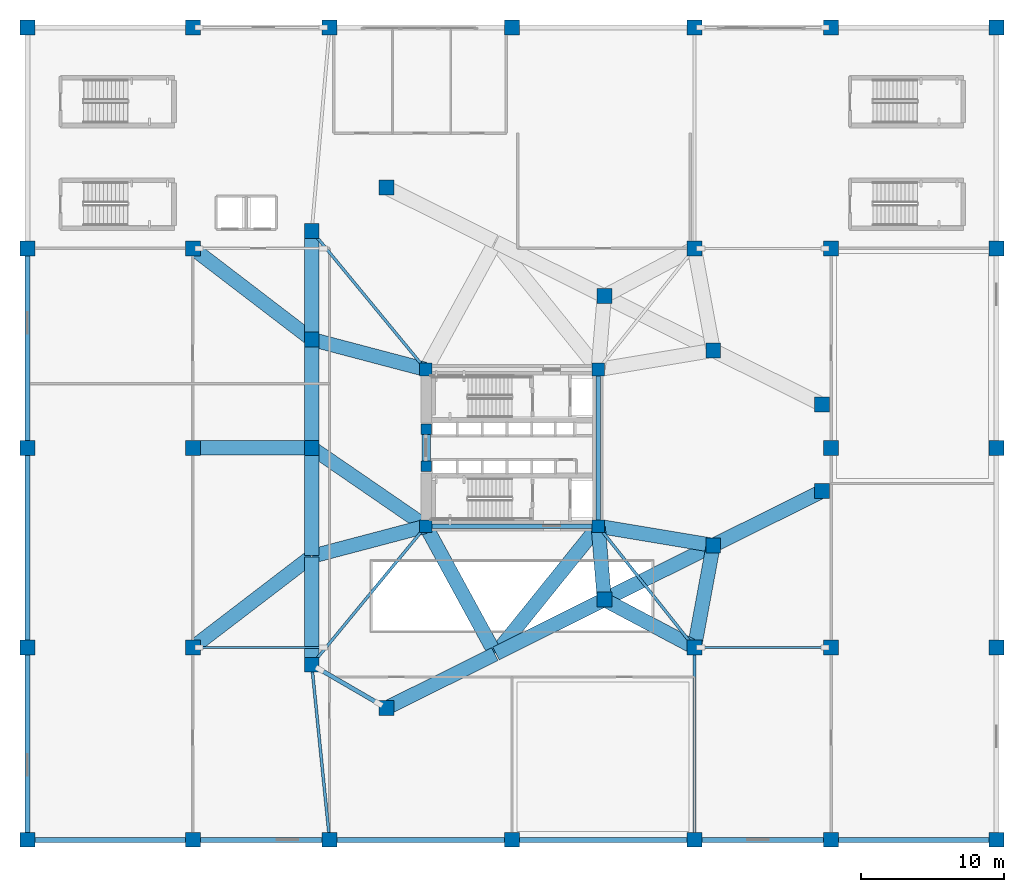
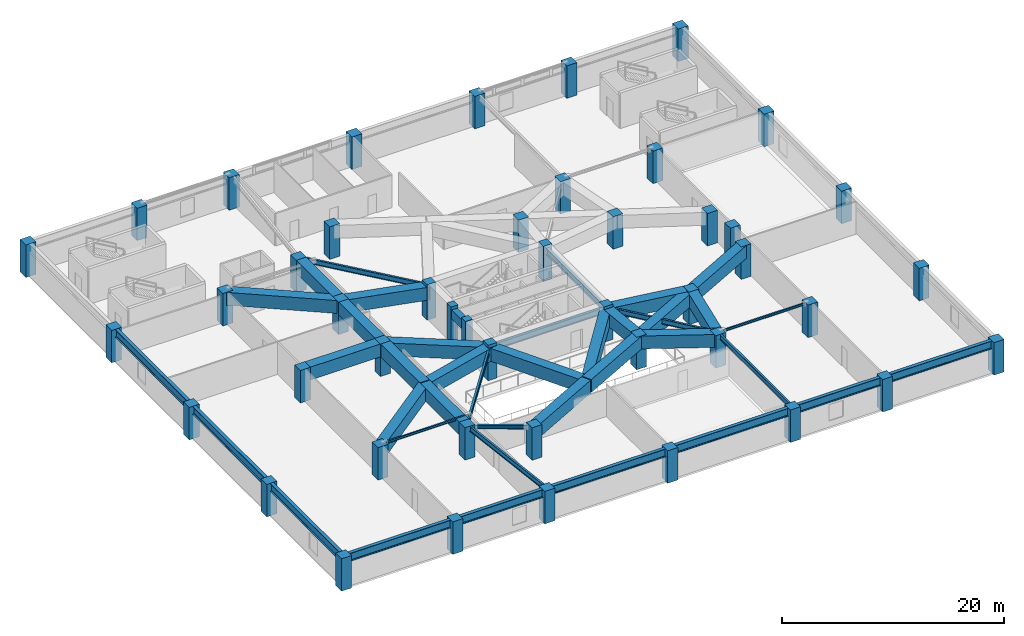
# One storey, part 1 of 16: 46 columns, 37 beams, 3 members.
"""IFC4 building model written with IfcOpenShell, lengths in metres."""

from ifc_helpers import new_model, si_unit, direction, frame, origin, origin_2d, place, context, subcontext, project, spatial, rectangle, hollow_rectangle, i_section, extrude, source, transform, mapped, material, material_profile, profile_set, type_object, element, save


model = new_model("IFC4")

# Units and contexts
model_context = context("Model", 3, precision=1e-05, world=origin(), true_north=direction((0.0, 1.0)))
body_context = subcontext(model_context, "Body", "Model", "MODEL_VIEW")
ifc_project = project(units=[si_unit("LENGTHUNIT", "METRE"), si_unit("AREAUNIT", "SQUARE_METRE"), si_unit("VOLUMEUNIT", "CUBIC_METRE"), si_unit("PLANEANGLEUNIT", "RADIAN"), si_unit("MASSUNIT", "GRAM", prefix="KILO")], contexts=[model_context])

# Site, building, storey
site_placement = place(None, origin())
site = spatial("IfcSite", under=ifc_project, at=site_placement, CompositionType="ELEMENT")
building_placement = place(site_placement, origin())
building = spatial("IfcBuilding", under=site, at=building_placement, Name="Yunling Apex Tower", CompositionType="ELEMENT")
storey_placement = place(building_placement, frame((0.0, 0.0, 16.199951171875)))
storey = spatial("IfcBuildingStorey", under=building, at=storey_placement, Name="L05", CompositionType="ELEMENT", Elevation=16.199951171875)

# Columns
ifc_material_1 = material(Name="Concrete C60", Category="concrete")
ifc_material_profile_1 = material_profile(ifc_material_1, rectangle(XDim=0.89990234375, YDim=0.89990234375, at=origin_2d()))
ifc_profile_set_1 = profile_set([ifc_material_profile_1], Name="Concrete C60")
column_type_1 = type_object("IfcColumnType", Name="PC-SRC-3", PredefinedType="COLUMN", material=ifc_profile_set_1)
shared_shape_1 = source(origin(), body_context, "Body", "SweptSolid", [
    extrude(rectangle(XDim=0.89990234375, YDim=0.89990234375, at=origin_2d()), origin(), (0.0, 0.0, 1.0), 3.900146484375),
])
for number, where, z_axis, x_axis, name in (
    (1, (-6.050048828125, -5.5, 0.0), (0.0, 0.0, 1.0), (1.0, 0.0, 0.0), "L05 Core Spine Column CC-SW"),
    (2, (6.050048828125, -5.5, 0.0), (0.0, 0.0, 1.0), (1.0, 0.0, 0.0), "L05 Core Spine Column CC-SE"),
    (3, (6.050048828125, 5.5, 0.0), (0.0, 0.0, 1.0), (1.0, 0.0, 0.0), "L05 Core Spine Column CC-NE"),
    (4, (-6.050048828125, 5.5, 0.0), (0.0, 0.0, 1.0), (1.0, 0.0, 0.0), "L05 Core Spine Column CC-NW"),
):
    element("IfcColumn", number, at=place(storey_placement, frame(where, z_axis=z_axis, x_axis=x_axis)), inside=storey, type_object=column_type_1, Name=name, PredefinedType="COLUMN", context=body_context, shape_type="MappedRepresentation", body=[
        mapped(shared_shape_1, transform((0.0, 0.0, 0.0), scale=1.0)),
    ])
ifc_material_2 = material(Name="Concrete C50", Category="concrete")
ifc_material_profile_2 = material_profile(ifc_material_2, rectangle(XDim=0.75, YDim=0.75, at=origin_2d()))
ifc_profile_set_2 = profile_set([ifc_material_profile_2], Name="Concrete C50")
column_type_2 = type_object("IfcColumnType", Name="PC-SRC-4", PredefinedType="COLUMN", material=ifc_profile_set_2)
shared_shape_2 = source(origin(), body_context, "Body", "SweptSolid", [
    extrude(rectangle(XDim=0.75, YDim=0.75, at=origin_2d()), origin(), (0.0, 0.0, 1.0), 3.900146484375),
])
for number, where, z_axis, x_axis, name in (
    (5, (-6.02490234375, -1.300048828125, 0.0), (0.0, 0.0, 1.0), (1.0, 0.0, 0.0), "L05 Core West Portal Jamb Column S"),
    (6, (-6.02490234375, 1.300048828125, 0.0), (0.0, 0.0, 1.0), (1.0, 0.0, 0.0), "L05 Core West Portal Jamb Column N"),
):
    element("IfcColumn", number, at=place(storey_placement, frame(where, z_axis=z_axis, x_axis=x_axis)), inside=storey, type_object=column_type_2, Name=name, PredefinedType="COLUMN", context=body_context, shape_type="MappedRepresentation", body=[
        mapped(shared_shape_2, transform((0.0, 0.0, 0.0), scale=1.0)),
    ])
ifc_material_profile_3 = material_profile(ifc_material_1, rectangle(XDim=1.050048828125, YDim=1.050048828125, at=origin_2d()))
ifc_profile_set_3 = profile_set([ifc_material_profile_3], Name="Concrete C60")
column_type_3 = type_object("IfcColumnType", Name="PC-SRC-2", PredefinedType="COLUMN", material=ifc_profile_set_3)
shared_shape_3 = source(origin(), body_context, "Body", "SweptSolid", [
    extrude(rectangle(XDim=1.050048828125, YDim=1.050048828125, at=origin_2d()), origin(), (0.0, 0.0, 1.0), 3.580078125),
])
for number, where, z_axis, x_axis, name in (
    (7, (-34.0, -27.5, 0.0), (0.0, 0.0, 1.0), (1.0, 0.0, 0.0), "L05 Podium Mega-Column PC-01"),
    (8, (-22.39990234375, -27.5, 0.0), (0.0, 0.0, 1.0), (1.0, 0.0, 0.0), "L05 Podium Mega-Column PC-02"),
    (9, (-12.800048828125, -27.5, 0.0), (0.0, 0.0, 1.0), (1.0, 0.0, 0.0), "L05 Podium Mega-Column PC-03"),
    (10, (0.0, -27.5, 0.0), (0.0, 0.0, 1.0), (1.0, 0.0, 0.0), "L05 Podium Mega-Column PC-04"),
    (11, (12.800048828125, -27.5, 0.0), (0.0, 0.0, 1.0), (1.0, 0.0, 0.0), "L05 Podium Mega-Column PC-05"),
    (12, (22.39990234375, -27.5, 0.0), (0.0, 0.0, 1.0), (1.0, 0.0, 0.0), "L05 Podium Mega-Column PC-06"),
    (13, (34.0, -27.5, 0.0), (0.0, 0.0, 1.0), (1.0, 0.0, 0.0), "L05 Podium Mega-Column PC-07"),
    (14, (-34.0, -14.0, 0.0), (0.0, 0.0, 1.0), (1.0, 0.0, 0.0), "L05 Podium Mega-Column PC-08"),
    (15, (-22.39990234375, -14.0, 0.0), (0.0, 0.0, 1.0), (1.0, 0.0, 0.0), "L05 Podium Mega-Column PC-09"),
    (16, (12.800048828125, -14.0, 0.0), (0.0, 0.0, 1.0), (1.0, 0.0, 0.0), "L05 Podium Mega-Column PC-11"),
    (17, (22.39990234375, -14.0, 0.0), (0.0, 0.0, 1.0), (1.0, 0.0, 0.0), "L05 Podium Mega-Column PC-12"),
    (18, (34.0, -14.0, 0.0), (0.0, 0.0, 1.0), (1.0, 0.0, 0.0), "L05 Podium Mega-Column PC-13"),
    (19, (-34.0, 0.0, 0.0), (0.0, 0.0, 1.0), (1.0, 0.0, 0.0), "L05 Podium Mega-Column PC-14"),
    (20, (-22.39990234375, 0.0, 0.0), (0.0, 0.0, 1.0), (1.0, 0.0, 0.0), "L05 Podium Mega-Column PC-15"),
    (21, (22.39990234375, 0.0, 0.0), (0.0, 0.0, 1.0), (1.0, 0.0, 0.0), "L05 Podium Mega-Column PC-16"),
    (22, (34.0, 0.0, 0.0), (0.0, 0.0, 1.0), (1.0, 0.0, 0.0), "L05 Podium Mega-Column PC-17"),
    (23, (-34.0, 14.0, 0.0), (0.0, 0.0, 1.0), (1.0, 0.0, 0.0), "L05 Podium Mega-Column PC-18"),
    (24, (-22.39990234375, 14.0, 0.0), (0.0, 0.0, 1.0), (1.0, 0.0, 0.0), "L05 Podium Mega-Column PC-19"),
    (25, (12.800048828125, 14.0, 0.0), (0.0, 0.0, 1.0), (1.0, 0.0, 0.0), "L05 Podium Mega-Column PC-21"),
    (26, (22.39990234375, 14.0, 0.0), (0.0, 0.0, 1.0), (1.0, 0.0, 0.0), "L05 Podium Mega-Column PC-22"),
    (27, (34.0, 14.0, 0.0), (0.0, 0.0, 1.0), (1.0, 0.0, 0.0), "L05 Podium Mega-Column PC-23"),
    (28, (-34.0, 29.5, 0.0), (0.0, 0.0, 1.0), (1.0, 0.0, 0.0), "L05 Podium Mega-Column PC-24"),
    (29, (-22.39990234375, 29.5, 0.0), (0.0, 0.0, 1.0), (1.0, 0.0, 0.0), "L05 Podium Mega-Column PC-25"),
    (30, (-12.800048828125, 29.5, 0.0), (0.0, 0.0, 1.0), (1.0, 0.0, 0.0), "L05 Podium Mega-Column PC-26"),
    (31, (0.0, 29.5, 0.0), (0.0, 0.0, 1.0), (1.0, 0.0, 0.0), "L05 Podium Mega-Column PC-27"),
    (32, (12.800048828125, 29.5, 0.0), (0.0, 0.0, 1.0), (1.0, 0.0, 0.0), "L05 Podium Mega-Column PC-28"),
    (33, (22.39990234375, 29.5, 0.0), (0.0, 0.0, 1.0), (1.0, 0.0, 0.0), "L05 Podium Mega-Column PC-29"),
    (34, (34.0, 29.5, 0.0), (0.0, 0.0, 1.0), (1.0, 0.0, 0.0), "L05 Podium Mega-Column PC-30"),
    (35, (-8.8115234375, -18.2578125, 0.0), (0.0, 0.0, 1.0), (1.0, 0.0, 0.0), "L05 Podium Mega-Column MP-B1-01"),
    (36, (6.477294921875, -10.648193359375, 0.0), (0.0, 0.0, 1.0), (1.0, 0.0, 0.0), "L05 Podium Mega-Column MP-B1-02"),
    (37, (14.121826171875, -6.843505859375, 0.0), (0.0, 0.0, 1.0), (1.0, 0.0, 0.0), "L05 Podium Mega-Column MP-B1-03"),
    (38, (21.76611328125, -3.038818359375, 0.0), (0.0, 0.0, 1.0), (1.0, 0.0, 0.0), "L05 Podium Mega-Column MP-B1-04"),
    (39, (21.76611328125, 3.038818359375, 0.0), (0.0, 0.0, 1.0), (1.0, 0.0, 0.0), "L05 Podium Mega-Column MP-B1-05"),
    (40, (14.121826171875, 6.843505859375, 0.0), (0.0, 0.0, 1.0), (1.0, 0.0, 0.0), "L05 Podium Mega-Column MP-B1-06"),
    (41, (6.477294921875, 10.648193359375, 0.0), (0.0, 0.0, 1.0), (1.0, 0.0, 0.0), "L05 Podium Mega-Column MP-B1-07"),
    (42, (-8.8115234375, 18.2578125, 0.0), (0.0, 0.0, 1.0), (1.0, 0.0, 0.0), "L05 Podium Mega-Column MP-B1-08"),
    (43, (-14.052001953125, 15.218994140625, 0.0), (0.0, 0.0, 1.0), (1.0, 0.0, 0.0), "L05 Podium Mega-Column MP-B1-09"),
    (44, (-14.052001953125, 7.609619140625, 0.0), (0.0, 0.0, 1.0), (1.0, 0.0, 0.0), "L05 Podium Mega-Column MP-B1-10"),
    (45, (-14.052001953125, 0.0, 0.0), (0.0, 0.0, 1.0), (1.0, 0.0, 0.0), "L05 Podium Mega-Column MP-B1-11"),
    (46, (-14.052001953125, -15.218994140625, 0.0), (0.0, 0.0, 1.0), (1.0, 0.0, 0.0), "L05 Podium Mega-Column MP-B1-12"),
):
    element("IfcColumn", number, at=place(storey_placement, frame(where, z_axis=z_axis, x_axis=x_axis)), inside=storey, type_object=column_type_3, Name=name, PredefinedType="COLUMN", context=body_context, shape_type="MappedRepresentation", body=[
        mapped(shared_shape_3, transform((0.0, 0.0, 0.0), scale=1.0)),
    ])

# Beams
ifc_material_profile_4 = material_profile(ifc_material_1, rectangle(XDim=0.60009765625, YDim=1.0, at=origin_2d()))
ifc_profile_set_4 = profile_set([ifc_material_profile_4], Name="Concrete C60")
beam_type_1 = type_object("IfcBeamType", Name="BC-CPL-1", PredefinedType="BEAM", material=ifc_profile_set_4)
shared_shape_4 = source(origin(), body_context, "Body", "SweptSolid", [
    extrude(rectangle(XDim=0.60009765625, YDim=1.0, at=origin_2d()), origin(), (0.0, 0.0, 1.0), 2.5),
])
beam_1_placement = place(storey_placement, frame((-6.02490234375, -1.25, 3.080078125), z_axis=(0.0, 1.0, 0.0), x_axis=(-1.0, 0.0, 0.0)))
element("IfcBeam", 47, at=beam_1_placement, inside=storey, type_object=beam_type_1, Name="L05 Core West Portal Coupling Beam", PredefinedType="BEAM", context=body_context, shape_type="MappedRepresentation", body=[
    mapped(shared_shape_4, transform((0.0, 0.0, 0.0), scale=1.0)),
])
ifc_material_3 = material(Name="Steel Q355B", Category="steel")
ifc_material_profile_5 = material_profile(ifc_material_3, i_section(OverallWidth=0.300048828125, OverallDepth=0.699951171875, WebThickness=0.012939453125, FlangeThickness=0.02392578125, FilletRadius=0.02587890625, at=origin_2d()))
ifc_profile_set_5 = profile_set([ifc_material_profile_5], Name="Steel Q355B")
beam_type_2 = type_object("IfcBeamType", Name="BG-PRI-3", PredefinedType="USERDEFINED", material=ifc_profile_set_5)
shared_shape_5 = source(origin(), body_context, "Body", "SweptSolid", [
    extrude(i_section(OverallWidth=0.300048828125, OverallDepth=0.699951171875, WebThickness=0.012939453125, FlangeThickness=0.02392578125, FilletRadius=0.02587890625, at=origin_2d()), origin(), (0.0, 0.0, 1.0), 11.7998046875),
])
beam_2_placement = place(storey_placement, frame((-5.89990234375, -5.5, 3.22998046875), z_axis=(1.0, 0.0, 0.0), x_axis=(0.0, 1.0, 0.0)))
element("IfcBeam", 48, at=beam_2_placement, inside=storey, type_object=beam_type_2, Name="L05 Core Ring Tie Beam 1", ObjectType="GIRDER", PredefinedType="USERDEFINED", context=body_context, shape_type="MappedRepresentation", body=[
    mapped(shared_shape_5, transform((0.0, 0.0, 0.0), scale=1.0)),
])
shared_shape_6 = source(origin(), body_context, "Body", "SweptSolid", [
    extrude(i_section(OverallWidth=0.300048828125, OverallDepth=0.699951171875, WebThickness=0.012939453125, FlangeThickness=0.02392578125, FilletRadius=0.02587890625, at=origin_2d()), origin(), (0.0, 0.0, 1.0), 10.7001953125),
])
beam_3_placement = place(storey_placement, frame((6.050048828125, -5.35009765625, 3.22998046875), z_axis=(0.0, 1.0, 0.0), x_axis=(-1.0, 0.0, 0.0)))
element("IfcBeam", 49, at=beam_3_placement, inside=storey, type_object=beam_type_2, Name="L05 Core Ring Tie Beam 2", ObjectType="GIRDER", PredefinedType="USERDEFINED", context=body_context, shape_type="MappedRepresentation", body=[
    mapped(shared_shape_6, transform((0.0, 0.0, 0.0), scale=1.0)),
])
ifc_material_profile_6 = material_profile(ifc_material_3, i_section(OverallWidth=0.35009765625, OverallDepth=0.89990234375, WebThickness=0.01806640625, FlangeThickness=0.028076171875, FilletRadius=0.02392578125, at=origin_2d()))
ifc_profile_set_6 = profile_set([ifc_material_profile_6], Name="Steel Q355B")
beam_type_3 = type_object("IfcBeamType", Name="BG-PRI-1", PredefinedType="USERDEFINED", material=ifc_profile_set_6)
shared_shape_7 = source(origin(), body_context, "Body", "SweptSolid", [
    extrude(i_section(OverallWidth=0.35009765625, OverallDepth=0.89990234375, WebThickness=0.01806640625, FlangeThickness=0.028076171875, FilletRadius=0.02392578125, at=origin_2d()), origin(), (0.0, 0.0, 1.0), 11.52001953125),
])
for number, where, z_axis, x_axis, name in (
    (50, (-33.9599609375, -27.5, 3.130126953125), (1.0, 0.0, 0.0), (0.0, 1.0, 0.0), "L05 Podium Edge Girder 1"),
    (51, (22.43994140625, -27.5, 3.130126953125), (1.0, 0.0, 0.0), (0.0, 1.0, 0.0), "L05 Podium Edge Girder 6"),
):
    element("IfcBeam", number, at=place(storey_placement, frame(where, z_axis=z_axis, x_axis=x_axis)), inside=storey, type_object=beam_type_3, Name=name, ObjectType="GIRDER", PredefinedType="USERDEFINED", context=body_context, shape_type="MappedRepresentation", body=[
        mapped(shared_shape_7, transform((0.0, 0.0, 0.0), scale=1.0)),
    ])
shared_shape_8 = source(origin(), body_context, "Body", "SweptSolid", [
    extrude(i_section(OverallWidth=0.35009765625, OverallDepth=0.89990234375, WebThickness=0.01806640625, FlangeThickness=0.028076171875, FilletRadius=0.02392578125, at=origin_2d()), origin(), (0.0, 0.0, 1.0), 9.52001953125),
])
for number, where, z_axis, x_axis, name in (
    (52, (-22.360107421875, -27.5, 3.130126953125), (1.0, 0.0, 0.0), (0.0, 1.0, 0.0), "L05 Podium Edge Girder 2"),
    (53, (12.840087890625, -27.5, 3.130126953125), (1.0, 0.0, 0.0), (0.0, 1.0, 0.0), "L05 Podium Edge Girder 5"),
):
    element("IfcBeam", number, at=place(storey_placement, frame(where, z_axis=z_axis, x_axis=x_axis)), inside=storey, type_object=beam_type_3, Name=name, ObjectType="GIRDER", PredefinedType="USERDEFINED", context=body_context, shape_type="MappedRepresentation", body=[
        mapped(shared_shape_8, transform((0.0, 0.0, 0.0), scale=1.0)),
    ])
shared_shape_9 = source(origin(), body_context, "Body", "SweptSolid", [
    extrude(i_section(OverallWidth=0.35009765625, OverallDepth=0.89990234375, WebThickness=0.01806640625, FlangeThickness=0.028076171875, FilletRadius=0.02392578125, at=origin_2d()), origin(), (0.0, 0.0, 1.0), 12.719970703125),
])
for number, where, z_axis, x_axis, name in (
    (54, (-12.760009765625, -27.5, 3.130126953125), (1.0, 0.0, 0.0), (0.0, 1.0, 0.0), "L05 Podium Edge Girder 3"),
    (55, (0.0400390625, -27.5, 3.130126953125), (1.0, 0.0, 0.0), (0.0, 1.0, 0.0), "L05 Podium Edge Girder 4"),
):
    element("IfcBeam", number, at=place(storey_placement, frame(where, z_axis=z_axis, x_axis=x_axis)), inside=storey, type_object=beam_type_3, Name=name, ObjectType="GIRDER", PredefinedType="USERDEFINED", context=body_context, shape_type="MappedRepresentation", body=[
        mapped(shared_shape_9, transform((0.0, 0.0, 0.0), scale=1.0)),
    ])
shared_shape_10 = source(origin(), body_context, "Body", "SweptSolid", [
    extrude(i_section(OverallWidth=0.35009765625, OverallDepth=0.89990234375, WebThickness=0.01806640625, FlangeThickness=0.028076171875, FilletRadius=0.02392578125, at=origin_2d()), origin(), (0.0, 0.0, 1.0), 13.419921875),
])
beam_4_placement = place(storey_placement, frame((-34.0, -27.4599609375, 3.130126953125), z_axis=(0.0, 1.0, 0.0), x_axis=(-1.0, 0.0, 0.0)))
element("IfcBeam", 56, at=beam_4_placement, inside=storey, type_object=beam_type_3, Name="L05 Podium Side Girder 13", ObjectType="GIRDER", PredefinedType="USERDEFINED", context=body_context, shape_type="MappedRepresentation", body=[
    mapped(shared_shape_10, transform((0.0, 0.0, 0.0), scale=1.0)),
])
shared_shape_11 = source(origin(), body_context, "Body", "SweptSolid", [
    extrude(i_section(OverallWidth=0.35009765625, OverallDepth=0.89990234375, WebThickness=0.01806640625, FlangeThickness=0.028076171875, FilletRadius=0.02392578125, at=origin_2d()), origin(), (0.0, 0.0, 1.0), 13.919921875),
])
for number, where, z_axis, x_axis, name in (
    (57, (-34.0, -13.9599609375, 3.130126953125), (0.0, 1.0, 0.0), (-1.0, 0.0, 0.0), "L05 Podium Side Girder 14"),
    (58, (-34.0, 0.0400390625, 3.130126953125), (0.0, 1.0, 0.0), (-1.0, 0.0, 0.0), "L05 Podium Side Girder 15"),
):
    element("IfcBeam", number, at=place(storey_placement, frame(where, z_axis=z_axis, x_axis=x_axis)), inside=storey, type_object=beam_type_3, Name=name, ObjectType="GIRDER", PredefinedType="USERDEFINED", context=body_context, shape_type="MappedRepresentation", body=[
        mapped(shared_shape_11, transform((0.0, 0.0, 0.0), scale=1.0)),
    ])
ifc_material_profile_7 = material_profile(ifc_material_3, i_section(OverallWidth=0.199951171875, OverallDepth=0.550048828125, WebThickness=0.010009765625, FlangeThickness=0.01611328125, FilletRadius=0.02001953125, at=origin_2d()))
ifc_profile_set_7 = profile_set([ifc_material_profile_7], Name="Steel Q355B")
beam_type_4 = type_object("IfcBeamType", Name="BS-SEC-1", PredefinedType="BEAM", material=ifc_profile_set_7)
shared_shape_12 = source(origin(), body_context, "Body", "SweptSolid", [
    extrude(i_section(OverallWidth=0.199951171875, OverallDepth=0.550048828125, WebThickness=0.010009765625, FlangeThickness=0.01611328125, FilletRadius=0.02001953125, at=origin_2d()), origin(), (0.0, 0.0, 1.0), 12.509033203125),
])
for number, where, z_axis, x_axis, name in (
    (59, (-14.026611328125, 15.18798828125, 3.304931640625), (0.635629262148, -0.771994456652, 0.0), (0.771994456652, 0.635629262148, 0.0), "L05 Podium Secondary Beam 2"),
    (60, (-14.026611328125, -15.18798828125, 3.304931640625), (0.635629262148, 0.771994456652, 0.0), (-0.771994456652, 0.635629262148, 0.0), "L05 Podium Secondary Beam 6"),
):
    element("IfcBeam", number, at=place(storey_placement, frame(where, z_axis=z_axis, x_axis=x_axis)), inside=storey, type_object=beam_type_4, Name=name, PredefinedType="BEAM", context=body_context, shape_type="MappedRepresentation", body=[
        mapped(shared_shape_12, transform((0.0, 0.0, 0.0), scale=1.0)),
    ])
shared_shape_13 = source(origin(), body_context, "Body", "SweptSolid", [
    extrude(i_section(OverallWidth=0.199951171875, OverallDepth=0.550048828125, WebThickness=0.010009765625, FlangeThickness=0.01611328125, FilletRadius=0.02001953125, at=origin_2d()), origin(), (0.0, 0.0, 1.0), 10.774169921875),
])
beam_5_placement = place(storey_placement, frame((12.775146484375, -13.96875, 3.304931640625), z_axis=(-0.621872334374, 0.783118637078, 0.0), x_axis=(-0.783118637078, -0.621872334374, 0.0)))
element("IfcBeam", 61, at=beam_5_placement, inside=storey, type_object=beam_type_4, Name="L05 Podium Secondary Beam 8", PredefinedType="BEAM", context=body_context, shape_type="MappedRepresentation", body=[
    mapped(shared_shape_13, transform((0.0, 0.0, 0.0), scale=1.0)),
])
shared_shape_14 = source(origin(), body_context, "Body", "SweptSolid", [
    extrude(i_section(OverallWidth=0.199951171875, OverallDepth=0.550048828125, WebThickness=0.010009765625, FlangeThickness=0.01611328125, FilletRadius=0.02001953125, at=origin_2d()), origin(), (0.0, 0.0, 1.0), 13.419921875),
])
beam_6_placement = place(storey_placement, frame((12.800048828125, -27.4599609375, 3.304931640625), z_axis=(0.0, 1.0, 0.0), x_axis=(-1.0, 0.0, 0.0)))
element("IfcBeam", 62, at=beam_6_placement, inside=storey, type_object=beam_type_4, Name="L05 Podium Secondary Beam 7", PredefinedType="BEAM", context=body_context, shape_type="MappedRepresentation", body=[
    mapped(shared_shape_14, transform((0.0, 0.0, 0.0), scale=1.0)),
])
shared_shape_15 = source(origin(), body_context, "Body", "SweptSolid", [
    extrude(i_section(OverallWidth=0.199951171875, OverallDepth=0.550048828125, WebThickness=0.010009765625, FlangeThickness=0.01611328125, FilletRadius=0.02001953125, at=origin_2d()), origin(), (0.0, 0.0, 1.0), 12.2646484375),
])
beam_7_placement = place(storey_placement, frame((-12.80419921875, -27.460205078125, 3.304931640625), z_axis=(-0.101401512652, 0.994845582607, 0.0), x_axis=(-0.994845582607, -0.101401512652, 0.0)))
element("IfcBeam", 63, at=beam_7_placement, inside=storey, type_object=beam_type_4, Name="L05 Podium Secondary Beam 5", PredefinedType="BEAM", context=body_context, shape_type="MappedRepresentation", body=[
    mapped(shared_shape_15, transform((0.0, 0.0, 0.0), scale=1.0)),
])
ifc_material_4 = material(Name="Steel Q390GJC", Category="steel")
ifc_material_profile_8 = material_profile(ifc_material_4, hollow_rectangle(XDim=1.0, YDim=1.419921875, WallThickness=0.054931640625, at=origin_2d()))
ifc_profile_set_8 = profile_set([ifc_material_profile_8], Name="Steel Q390GJC")
beam_type_5 = type_object("IfcBeamType", Name="BTPOD-1", PredefinedType="USERDEFINED", material=ifc_profile_set_8)
shared_shape_16 = source(origin(), body_context, "Body", "SweptSolid", [
    extrude(hollow_rectangle(XDim=1.0, YDim=1.419921875, WallThickness=0.054931640625, at=origin_2d()), origin(), (0.0, 0.0, 1.0), 8.438720703125),
])
for number, where, z_axis, x_axis, name in (
    (64, (-8.7666015625, -18.235595703125, 2.8701171875), (0.895235787091, 0.44559273503, 0.0), (-0.44559273503, 0.895235787091, 0.0), "L05 Podium-to-Tower Box Transfer Girder 1"),
    (65, (6.522216796875, -10.6259765625, 2.8701171875), (0.895247327755, 0.445569548047, 0.0), (-0.445569548047, 0.895247327755, 0.0), "L05 Podium-to-Tower Box Transfer Girder 3"),
):
    element("IfcBeam", number, at=place(storey_placement, frame(where, z_axis=z_axis, x_axis=x_axis)), inside=storey, type_object=beam_type_5, Name=name, ObjectType="GIRDER", PredefinedType="USERDEFINED", context=body_context, shape_type="MappedRepresentation", body=[
        mapped(shared_shape_16, transform((0.0, 0.0, 0.0), scale=1.0)),
    ])
shared_shape_17 = source(origin(), body_context, "Body", "SweptSolid", [
    extrude(hollow_rectangle(XDim=1.0, YDim=1.419921875, WallThickness=0.054931640625, at=origin_2d()), origin(), (0.0, 0.0, 1.0), 8.43896484375),
])
for number, where, z_axis, x_axis, name in (
    (66, (-1.122314453125, -14.430908203125, 2.8701171875), (0.895241531169, 0.445581194476, 0.0), (-0.445581194476, 0.895241531169, 0.0), "L05 Podium-to-Tower Box Transfer Girder 2"),
    (67, (14.16650390625, -6.8212890625, 2.8701171875), (0.895241531169, 0.445581194476, 0.0), (-0.445581194476, 0.895241531169, 0.0), "L05 Podium-to-Tower Box Transfer Girder 4"),
):
    element("IfcBeam", number, at=place(storey_placement, frame(where, z_axis=z_axis, x_axis=x_axis)), inside=storey, type_object=beam_type_5, Name=name, ObjectType="GIRDER", PredefinedType="USERDEFINED", context=body_context, shape_type="MappedRepresentation", body=[
        mapped(shared_shape_17, transform((0.0, 0.0, 0.0), scale=1.0)),
    ])
shared_shape_18 = source(origin(), body_context, "Body", "SweptSolid", [
    extrude(hollow_rectangle(XDim=1.0, YDim=1.419921875, WallThickness=0.054931640625, at=origin_2d()), origin(), (0.0, 0.0, 1.0), 7.509521484375),
])
for number, where, z_axis, x_axis, name in (
    (68, (-14.052001953125, 15.1689453125, 2.8701171875), (0.0, -1.0, 0.0), (1.0, 0.0, 0.0), "L05 Podium-to-Tower Box Transfer Girder 11"),
    (69, (-14.052001953125, 7.5595703125, 2.8701171875), (0.0, -1.0, 0.0), (1.0, 0.0, 0.0), "L05 Podium-to-Tower Box Transfer Girder 12"),
    (70, (-14.052001953125, -0.050048828125, 2.8701171875), (0.0, -1.0, 0.0), (1.0, 0.0, 0.0), "L05 Podium-to-Tower Box Transfer Girder 13"),
    (71, (-14.052001953125, -7.659423828125, 2.8701171875), (0.0, -1.0, 0.0), (1.0, 0.0, 0.0), "L05 Podium-to-Tower Box Transfer Girder 14"),
):
    element("IfcBeam", number, at=place(storey_placement, frame(where, z_axis=z_axis, x_axis=x_axis)), inside=storey, type_object=beam_type_5, Name=name, ObjectType="GIRDER", PredefinedType="USERDEFINED", context=body_context, shape_type="MappedRepresentation", body=[
        mapped(shared_shape_18, transform((0.0, 0.0, 0.0), scale=1.0)),
    ])
shared_shape_19 = source(origin(), body_context, "Body", "SweptSolid", [
    extrude(hollow_rectangle(XDim=1.0, YDim=1.419921875, WallThickness=0.054931640625, at=origin_2d()), origin(), (0.0, 0.0, 1.0), 10.09814453125),
])
beam_8_placement = place(storey_placement, frame((-1.19091796875, -14.4091796875, 2.8701171875), z_axis=(-0.478823333743, 0.877911279722, 0.0), x_axis=(-0.877911279722, -0.478823333743, 0.0)))
element("IfcBeam", 72, at=beam_8_placement, inside=storey, type_object=beam_type_5, Name="L05 Radial Box Transfer Girder 3", ObjectType="GIRDER", PredefinedType="USERDEFINED", context=body_context, shape_type="MappedRepresentation", body=[
    mapped(shared_shape_19, transform((0.0, 0.0, 0.0), scale=1.0)),
])
shared_shape_20 = source(origin(), body_context, "Body", "SweptSolid", [
    extrude(hollow_rectangle(XDim=1.0, YDim=1.419921875, WallThickness=0.054931640625, at=origin_2d()), origin(), (0.0, 0.0, 1.0), 11.39990234375),
])
beam_9_placement = place(storey_placement, frame((-1.1357421875, -14.414306640625, 2.8701171875), z_axis=(0.627574112185, 0.778556827544, 0.0), x_axis=(-0.778556827544, 0.627574112185, 0.0)))
element("IfcBeam", 73, at=beam_9_placement, inside=storey, type_object=beam_type_5, Name="L05 Radial Box Transfer Girder 4", ObjectType="GIRDER", PredefinedType="USERDEFINED", context=body_context, shape_type="MappedRepresentation", body=[
    mapped(shared_shape_20, transform((0.0, 0.0, 0.0), scale=1.0)),
])
shared_shape_21 = source(origin(), body_context, "Body", "SweptSolid", [
    extrude(hollow_rectangle(XDim=1.0, YDim=1.419921875, WallThickness=0.054931640625, at=origin_2d()), origin(), (0.0, 0.0, 1.0), 5.06591796875),
])
beam_10_placement = place(storey_placement, frame((6.473388671875, -10.598388671875, 2.8701171875), z_axis=(-0.082746350871, 0.996570640455, 0.0), x_axis=(-0.996570640455, -0.082746350871, 0.0)))
element("IfcBeam", 74, at=beam_10_placement, inside=storey, type_object=beam_type_5, Name="L05 Radial Box Transfer Girder 5", ObjectType="GIRDER", PredefinedType="USERDEFINED", context=body_context, shape_type="MappedRepresentation", body=[
    mapped(shared_shape_21, transform((0.0, 0.0, 0.0), scale=1.0)),
])
shared_shape_22 = source(origin(), body_context, "Body", "SweptSolid", [
    extrude(hollow_rectangle(XDim=1.0, YDim=1.419921875, WallThickness=0.054931640625, at=origin_2d()), origin(), (0.0, 0.0, 1.0), 7.05615234375),
])
beam_11_placement = place(storey_placement, frame((6.521484375, -10.671630859375, 2.8701171875), z_axis=(0.883531092966, -0.468372509613, 0.0), x_axis=(0.468372509613, 0.883531092966, 0.0)))
element("IfcBeam", 75, at=beam_11_placement, inside=storey, type_object=beam_type_5, Name="L05 Radial Box Transfer Girder 6", ObjectType="GIRDER", PredefinedType="USERDEFINED", context=body_context, shape_type="MappedRepresentation", body=[
    mapped(shared_shape_22, transform((0.0, 0.0, 0.0), scale=1.0)),
])
shared_shape_23 = source(origin(), body_context, "Body", "SweptSolid", [
    extrude(hollow_rectangle(XDim=1.0, YDim=1.419921875, WallThickness=0.054931640625, at=origin_2d()), origin(), (0.0, 0.0, 1.0), 7.17724609375),
])
beam_12_placement = place(storey_placement, frame((14.11279296875, -6.892822265625, 2.8701171875), z_axis=(-0.181644644471, -0.983364237267, 0.0), x_axis=(0.983364237267, -0.181644644471, 0.0)))
element("IfcBeam", 76, at=beam_12_placement, inside=storey, type_object=beam_type_5, Name="L05 Radial Box Transfer Girder 7", ObjectType="GIRDER", PredefinedType="USERDEFINED", context=body_context, shape_type="MappedRepresentation", body=[
    mapped(shared_shape_23, transform((0.0, 0.0, 0.0), scale=1.0)),
])
shared_shape_24 = source(origin(), body_context, "Body", "SweptSolid", [
    extrude(hollow_rectangle(XDim=1.0, YDim=1.419921875, WallThickness=0.054931640625, at=origin_2d()), origin(), (0.0, 0.0, 1.0), 8.082763671875),
])
beam_13_placement = place(storey_placement, frame((14.072509765625, -6.83544921875, 2.8701171875), z_axis=(-0.986428188904, 0.164193264587, 0.0), x_axis=(-0.164193264587, -0.986428188904, 0.0)))
element("IfcBeam", 77, at=beam_13_placement, inside=storey, type_object=beam_type_5, Name="L05 Radial Box Transfer Girder 8", ObjectType="GIRDER", PredefinedType="USERDEFINED", context=body_context, shape_type="MappedRepresentation", body=[
    mapped(shared_shape_24, transform((0.0, 0.0, 0.0), scale=1.0)),
])
shared_shape_25 = source(origin(), body_context, "Body", "SweptSolid", [
    extrude(hollow_rectangle(XDim=1.0, YDim=1.419921875, WallThickness=0.054931640625, at=origin_2d()), origin(), (0.0, 0.0, 1.0), 8.17529296875),
])
for number, where, z_axis, x_axis, name in (
    (78, (-14.003662109375, 7.5966796875, 2.8701171875), (0.96696458838, -0.254910738926, 0.0), (0.254910738926, 0.96696458838, 0.0), "L05 Radial Box Transfer Girder 19"),
    (79, (-14.003662109375, -7.5966796875, 2.8701171875), (0.96696458838, 0.254910738926, 0.0), (-0.254910738926, 0.96696458838, 0.0), "L05 Radial Box Transfer Girder 26"),
):
    element("IfcBeam", number, at=place(storey_placement, frame(where, z_axis=z_axis, x_axis=x_axis)), inside=storey, type_object=beam_type_5, Name=name, ObjectType="GIRDER", PredefinedType="USERDEFINED", context=body_context, shape_type="MappedRepresentation", body=[
        mapped(shared_shape_25, transform((0.0, 0.0, 0.0), scale=1.0)),
    ])
shared_shape_26 = source(origin(), body_context, "Body", "SweptSolid", [
    extrude(hollow_rectangle(XDim=1.0, YDim=1.419921875, WallThickness=0.054931640625, at=origin_2d()), origin(), (0.0, 0.0, 1.0), 10.4130859375),
])
for number, where, z_axis, x_axis, name in (
    (80, (-14.091796875, 7.639892578125, 2.8701171875), (-0.794052941197, 0.60784860498, 0.0), (-0.60784860498, -0.794052941197, 0.0), "L05 Radial Box Transfer Girder 20"),
    (81, (-14.091796875, -7.639892578125, 2.8701171875), (-0.794052941197, -0.60784860498, 0.0), (0.60784860498, -0.794052941197, 0.0), "L05 Radial Box Transfer Girder 27"),
):
    element("IfcBeam", number, at=place(storey_placement, frame(where, z_axis=z_axis, x_axis=x_axis)), inside=storey, type_object=beam_type_5, Name=name, ObjectType="GIRDER", PredefinedType="USERDEFINED", context=body_context, shape_type="MappedRepresentation", body=[
        mapped(shared_shape_26, transform((0.0, 0.0, 0.0), scale=1.0)),
    ])
shared_shape_27 = source(origin(), body_context, "Body", "SweptSolid", [
    extrude(hollow_rectangle(XDim=1.0, YDim=1.419921875, WallThickness=0.054931640625, at=origin_2d()), origin(), (0.0, 0.0, 1.0), 8.248046875),
])
beam_14_placement = place(storey_placement, frame((-14.10205078125, 0.0, 2.8701171875), z_axis=(-1.0, 0.0, 0.0), x_axis=(0.0, -1.0, 0.0)))
element("IfcBeam", 82, at=beam_14_placement, inside=storey, type_object=beam_type_5, Name="L05 Radial Box Transfer Girder 22", ObjectType="GIRDER", PredefinedType="USERDEFINED", context=body_context, shape_type="MappedRepresentation", body=[
    mapped(shared_shape_27, transform((0.0, 0.0, 0.0), scale=1.0)),
])
shared_shape_28 = source(origin(), body_context, "Body", "SweptSolid", [
    extrude(hollow_rectangle(XDim=1.0, YDim=1.419921875, WallThickness=0.054931640625, at=origin_2d()), origin(), (0.0, 0.0, 1.0), 9.60986328125),
])
beam_15_placement = place(storey_placement, frame((-14.0107421875, -0.0283203125, 2.8701171875), z_axis=(0.824102703901, -0.566440405888, 0.0), x_axis=(0.566440405888, 0.824102703901, 0.0)))
element("IfcBeam", 83, at=beam_15_placement, inside=storey, type_object=beam_type_5, Name="L05 Radial Box Transfer Girder 23", ObjectType="GIRDER", PredefinedType="USERDEFINED", context=body_context, shape_type="MappedRepresentation", body=[
    mapped(shared_shape_28, transform((0.0, 0.0, 0.0), scale=1.0)),
])

# Members
ifc_material_profile_9 = material_profile(ifc_material_3, i_section(OverallWidth=0.300048828125, OverallDepth=0.389892578125, WebThickness=0.010009765625, FlangeThickness=0.01611328125, FilletRadius=0.02001953125, at=origin_2d()))
ifc_profile_set_9 = profile_set([ifc_material_profile_9], Name="Steel Q355B")
member_type_1 = type_object("IfcMemberType", Name="ST-STR-2", PredefinedType="STRUT", material=ifc_profile_set_9)
shared_shape_29 = source(origin(), body_context, "Body", "SweptSolid", [
    extrude(i_section(OverallWidth=0.300048828125, OverallDepth=0.389892578125, WebThickness=0.010009765625, FlangeThickness=0.01611328125, FilletRadius=0.02001953125, at=origin_2d()), origin(), (0.0, 0.0, 1.0), 4.758056640625),
])
member_placement = place(storey_placement, frame((-13.48779296875, -15.546142578125, 3.22998046875), z_axis=(0.864965709617, -0.50183096874, 0.0), x_axis=(0.50183096874, 0.864965709617, 0.0)))
element("IfcMember", 84, at=member_placement, inside=storey, type_object=member_type_1, Name="L05 Atrium Lateral Tie Strut", PredefinedType="STRUT", context=body_context, shape_type="MappedRepresentation", body=[
    mapped(shared_shape_29, transform((0.0, 0.0, 0.0), scale=1.0)),
])
ifc_material_profile_10 = material_profile(ifc_material_3, i_section(OverallWidth=0.14990234375, OverallDepth=0.25, WebThickness=0.008056640625, FlangeThickness=0.011962890625, FilletRadius=0.011962890625, at=origin_2d()))
ifc_profile_set_10 = profile_set([ifc_material_profile_10], Name="Steel Q355B")
member_type_2 = type_object("IfcMemberType", Name="CR-PUR-2", PredefinedType="PURLIN", material=ifc_profile_set_10)
shared_shape_30 = source(origin(), body_context, "Body", "SweptSolid", [
    extrude(i_section(OverallWidth=0.14990234375, OverallDepth=0.25, WebThickness=0.008056640625, FlangeThickness=0.011962890625, FilletRadius=0.011962890625, at=origin_2d()), origin(), (0.0, 0.0, 1.0), 8.719970703125),
])
for number, where, z_axis, x_axis, name in (
    (85, (-21.9599609375, -14.0, 3.455078125), (1.0, 0.0, 0.0), (0.0, 1.0, 0.0), "L05 Garden Deck Glazing Purlin 1"),
    (86, (13.239990234375, -14.0, 3.455078125), (1.0, 0.0, 0.0), (0.0, 1.0, 0.0), "L05 Garden Deck Glazing Purlin 4"),
):
    element("IfcMember", number, at=place(storey_placement, frame(where, z_axis=z_axis, x_axis=x_axis)), inside=storey, type_object=member_type_2, Name=name, PredefinedType="PURLIN", context=body_context, shape_type="MappedRepresentation", body=[
        mapped(shared_shape_30, transform((0.0, 0.0, 0.0), scale=1.0)),
    ])

save(model, "model.ifc")
